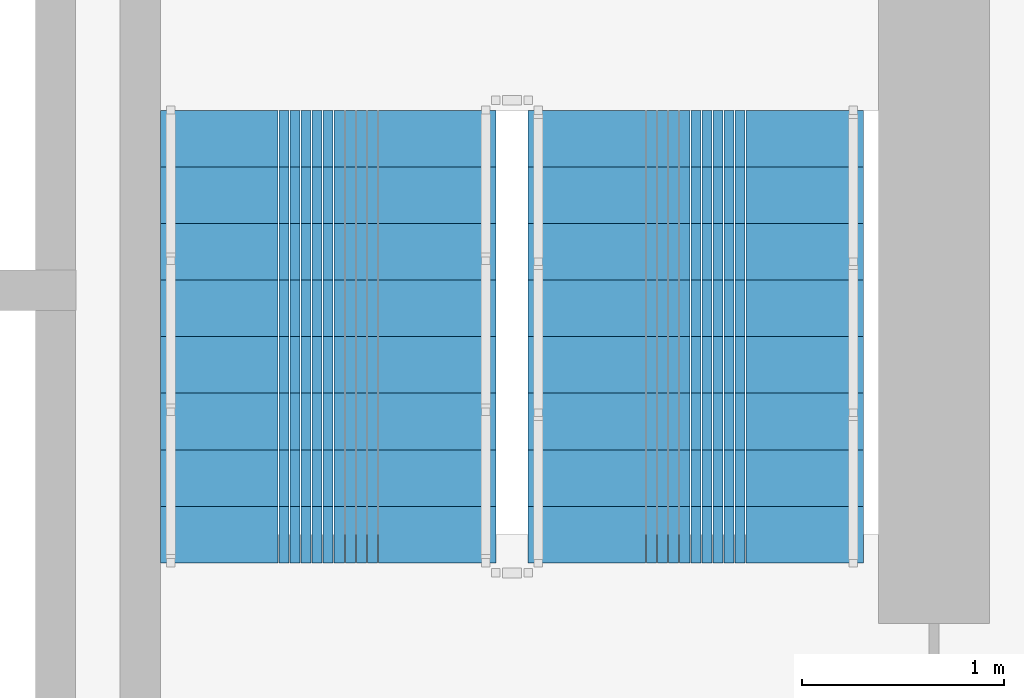
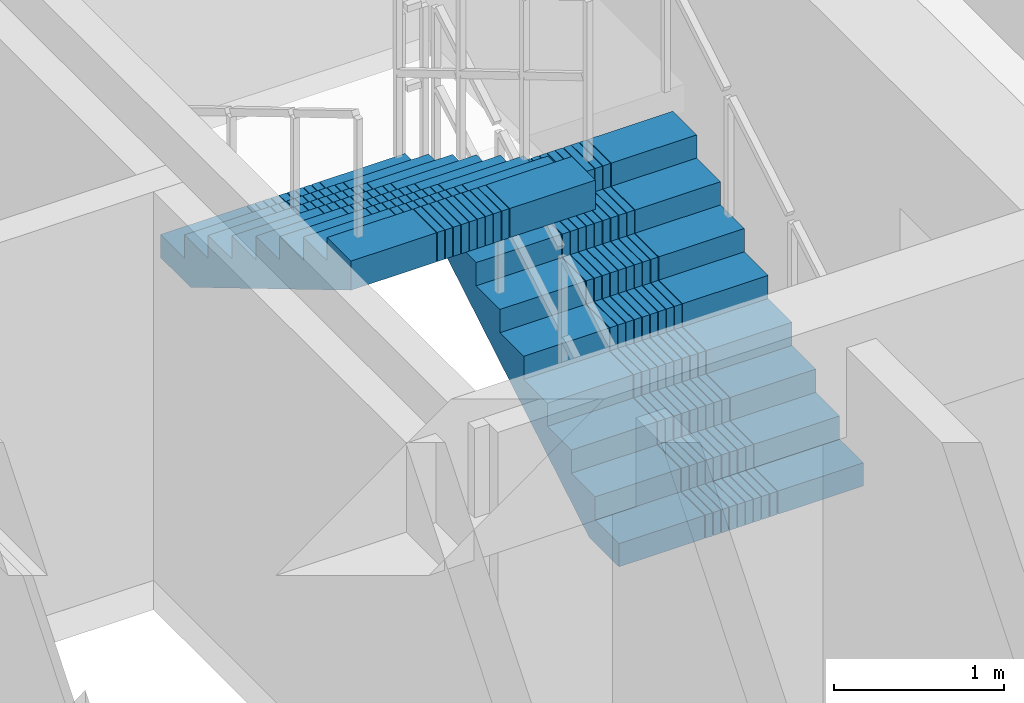
# One storey, part 21 of 25: 2 stair flights, 1 element without a shape of its own.
"""IFC4 building model written with IfcOpenShell, lengths in metres."""

from ifc_helpers import new_model, si_unit, direction, frame, origin, place, context, subcontext, project, spatial, polyline, outline, extrude, material, type_object, element, aggregate, save


model = new_model("IFC4")

# Units and contexts
model_context = context("Model", 3, precision=1e-05, world=origin(), true_north=direction((0.0, 1.0)))
body_context = subcontext(model_context, "Body", "Model", "MODEL_VIEW")
ifc_project = project(units=[si_unit("LENGTHUNIT", "METRE"), si_unit("AREAUNIT", "SQUARE_METRE"), si_unit("VOLUMEUNIT", "CUBIC_METRE"), si_unit("PLANEANGLEUNIT", "RADIAN"), si_unit("MASSUNIT", "GRAM", prefix="KILO")], contexts=[model_context])

# Site, building, storey
site_placement = place(None, origin())
site = spatial("IfcSite", under=ifc_project, at=site_placement, CompositionType="ELEMENT")
building_placement = place(site_placement, origin())
building = spatial("IfcBuilding", under=site, at=building_placement, Name="Saelheon Loggia Tower", CompositionType="ELEMENT")
storey_placement = place(building_placement, frame((0.0, 0.0, 107.85009765625)))
storey = spatial("IfcBuildingStorey", under=building, at=storey_placement, Name="L34", CompositionType="ELEMENT", Elevation=107.85009765625)

# Stair, stair flights
ifc_material = material(Name="Concrete C40/50", Category="concrete")
stair_type = type_object("IfcStairType", Name="Stair_Escape_Core", PredefinedType="HALF_TURN_STAIR", material=ifc_material)
stair_placement = place(storey_placement, origin())
stair = element("IfcStair", 1, at=stair_placement, inside=storey, type_object=stair_type, Name="L34 Special Escape Stair ST2", PredefinedType="HALF_TURN_STAIR")
stair_flight_type = type_object("IfcStairFlightType", Name="StairFlight_Tower_1660", PredefinedType="STRAIGHT", material=ifc_material)
stair_flight_1_placement = place(storey_placement, frame((43.320068359375, 30.449951171875, 0.0), z_axis=(0.0, 0.0, 1.0), x_axis=(0.0, 1.0, 0.0)))
stair_flight_1 = element("IfcStairFlight", 2, at=stair_flight_1_placement, type_object=stair_flight_type, Name="ST2 flight 1", NumberOfRisers=9, NumberOfTreads=8, PredefinedType="STRAIGHT", RiserHeight=0.166666667, TreadLength=0.28, context=body_context, shape_type="SweptSolid", body=[
    extrude(outline(polyline([(0.0, 0.0), (0.0, 0.166748046875), (0.280029296875, 0.166748046875), (0.280029296875, 0.333251953125), (0.56005859375, 0.333251953125), (0.56005859375, 0.5), (0.840087890625, 0.5), (0.840087890625, 0.666748046875), (1.1201171875, 0.666748046875), (1.1201171875, 0.833251953125), (1.39990234375, 0.833251953125), (1.39990234375, 1.0), (1.679931640625, 1.0), (1.679931640625, 1.166748046875), (1.9599609375, 1.166748046875), (1.9599609375, 1.333251953125), (2.239990234375, 1.333251953125), (2.239990234375, 1.5), (2.239990234375, 1.1240234375), (0.351806640625, 0.0), (0.0, 0.0)])), frame((0.0, -0.2490234375, 0.0), z_axis=(0.0, -1.0, 0.0), x_axis=(1.0, 0.0, 0.0)), (0.0, 0.0, 1.0), 0.5810546875),
    extrude(outline(polyline([(0.0, 0.0), (0.0, 0.166748046875), (0.280029296875, 0.166748046875), (0.280029296875, 0.333251953125), (0.56005859375, 0.333251953125), (0.56005859375, 0.5), (0.840087890625, 0.5), (0.840087890625, 0.666748046875), (1.1201171875, 0.666748046875), (1.1201171875, 0.833251953125), (1.39990234375, 0.833251953125), (1.39990234375, 1.0), (1.679931640625, 1.0), (1.679931640625, 1.166748046875), (1.9599609375, 1.166748046875), (1.9599609375, 1.333251953125), (2.239990234375, 1.333251953125), (2.239990234375, 1.5), (2.239990234375, 1.1240234375), (0.351806640625, 0.0), (0.0, 0.0)])), frame((0.0, -0.194091796875, 0.0), z_axis=(0.0, -1.0, 0.0), x_axis=(1.0, 0.0, 0.0)), (0.0, 0.0, 1.0), 0.0498046875),
    extrude(outline(polyline([(0.0, 0.0), (0.0, 0.166748046875), (0.280029296875, 0.166748046875), (0.280029296875, 0.333251953125), (0.56005859375, 0.333251953125), (0.56005859375, 0.5), (0.840087890625, 0.5), (0.840087890625, 0.666748046875), (1.1201171875, 0.666748046875), (1.1201171875, 0.833251953125), (1.39990234375, 0.833251953125), (1.39990234375, 1.0), (1.679931640625, 1.0), (1.679931640625, 1.166748046875), (1.9599609375, 1.166748046875), (1.9599609375, 1.333251953125), (2.239990234375, 1.333251953125), (2.239990234375, 1.5), (2.239990234375, 1.1240234375), (0.351806640625, 0.0), (0.0, 0.0)])), frame((0.0, -0.139404296875, 0.0), z_axis=(0.0, -1.0, 0.0), x_axis=(1.0, 0.0, 0.0)), (0.0, 0.0, 1.0), 0.0498046875),
    extrude(outline(polyline([(0.0, 0.0), (0.0, 0.166748046875), (0.280029296875, 0.166748046875), (0.280029296875, 0.333251953125), (0.56005859375, 0.333251953125), (0.56005859375, 0.5), (0.840087890625, 0.5), (0.840087890625, 0.666748046875), (1.1201171875, 0.666748046875), (1.1201171875, 0.833251953125), (1.39990234375, 0.833251953125), (1.39990234375, 1.0), (1.679931640625, 1.0), (1.679931640625, 1.166748046875), (1.9599609375, 1.166748046875), (1.9599609375, 1.333251953125), (2.239990234375, 1.333251953125), (2.239990234375, 1.5), (2.239990234375, 1.1240234375), (0.351806640625, 0.0), (0.0, 0.0)])), frame((0.0, -0.084716796875, 0.0), z_axis=(0.0, -1.0, 0.0), x_axis=(1.0, 0.0, 0.0)), (0.0, 0.0, 1.0), 0.0498046875),
    extrude(outline(polyline([(0.0, 0.0), (0.0, 0.166748046875), (0.280029296875, 0.166748046875), (0.280029296875, 0.333251953125), (0.56005859375, 0.333251953125), (0.56005859375, 0.5), (0.840087890625, 0.5), (0.840087890625, 0.666748046875), (1.1201171875, 0.666748046875), (1.1201171875, 0.833251953125), (1.39990234375, 0.833251953125), (1.39990234375, 1.0), (1.679931640625, 1.0), (1.679931640625, 1.166748046875), (1.9599609375, 1.166748046875), (1.9599609375, 1.333251953125), (2.239990234375, 1.333251953125), (2.239990234375, 1.5), (2.239990234375, 1.1240234375), (0.351806640625, 0.0), (0.0, 0.0)])), frame((0.0, -0.02978515625, 0.0), z_axis=(0.0, -1.0, 0.0), x_axis=(1.0, 0.0, 0.0)), (0.0, 0.0, 1.0), 0.0498046875),
    extrude(outline(polyline([(0.0, 0.0), (0.0, 0.166748046875), (0.280029296875, 0.166748046875), (0.280029296875, 0.333251953125), (0.56005859375, 0.333251953125), (0.56005859375, 0.5), (0.840087890625, 0.5), (0.840087890625, 0.666748046875), (1.1201171875, 0.666748046875), (1.1201171875, 0.833251953125), (1.39990234375, 0.833251953125), (1.39990234375, 1.0), (1.679931640625, 1.0), (1.679931640625, 1.166748046875), (1.9599609375, 1.166748046875), (1.9599609375, 1.333251953125), (2.239990234375, 1.333251953125), (2.239990234375, 1.5), (2.239990234375, 1.1240234375), (0.351806640625, 0.0), (0.0, 0.0)])), frame((0.0, 0.02490234375, 0.0), z_axis=(0.0, -1.0, 0.0), x_axis=(1.0, 0.0, 0.0)), (0.0, 0.0, 1.0), 0.0498046875),
    extrude(outline(polyline([(0.0, 0.0), (0.0, 0.166748046875), (0.280029296875, 0.166748046875), (0.280029296875, 0.333251953125), (0.56005859375, 0.333251953125), (0.56005859375, 0.5), (0.840087890625, 0.5), (0.840087890625, 0.666748046875), (1.1201171875, 0.666748046875), (1.1201171875, 0.833251953125), (1.39990234375, 0.833251953125), (1.39990234375, 1.0), (1.679931640625, 1.0), (1.679931640625, 1.166748046875), (1.9599609375, 1.166748046875), (1.9599609375, 1.333251953125), (2.239990234375, 1.333251953125), (2.239990234375, 1.5), (2.239990234375, 1.1240234375), (0.351806640625, 0.0), (0.0, 0.0)])), frame((0.0, 0.07958984375, 0.0), z_axis=(0.0, -1.0, 0.0), x_axis=(1.0, 0.0, 0.0)), (0.0, 0.0, 1.0), 0.0498046875),
    extrude(outline(polyline([(0.0, 0.0), (0.0, 0.166748046875), (0.280029296875, 0.166748046875), (0.280029296875, 0.333251953125), (0.56005859375, 0.333251953125), (0.56005859375, 0.5), (0.840087890625, 0.5), (0.840087890625, 0.666748046875), (1.1201171875, 0.666748046875), (1.1201171875, 0.833251953125), (1.39990234375, 0.833251953125), (1.39990234375, 1.0), (1.679931640625, 1.0), (1.679931640625, 1.166748046875), (1.9599609375, 1.166748046875), (1.9599609375, 1.333251953125), (2.239990234375, 1.333251953125), (2.239990234375, 1.5), (2.239990234375, 1.1240234375), (0.351806640625, 0.0), (0.0, 0.0)])), frame((0.0, 0.134521484375, 0.0), z_axis=(0.0, -1.0, 0.0), x_axis=(1.0, 0.0, 0.0)), (0.0, 0.0, 1.0), 0.0498046875),
    extrude(outline(polyline([(0.0, 0.0), (0.0, 0.166748046875), (0.280029296875, 0.166748046875), (0.280029296875, 0.333251953125), (0.56005859375, 0.333251953125), (0.56005859375, 0.5), (0.840087890625, 0.5), (0.840087890625, 0.666748046875), (1.1201171875, 0.666748046875), (1.1201171875, 0.833251953125), (1.39990234375, 0.833251953125), (1.39990234375, 1.0), (1.679931640625, 1.0), (1.679931640625, 1.166748046875), (1.9599609375, 1.166748046875), (1.9599609375, 1.333251953125), (2.239990234375, 1.333251953125), (2.239990234375, 1.5), (2.239990234375, 1.1240234375), (0.351806640625, 0.0), (0.0, 0.0)])), frame((0.0, 0.189208984375, 0.0), z_axis=(0.0, -1.0, 0.0), x_axis=(1.0, 0.0, 0.0)), (0.0, 0.0, 1.0), 0.0498046875),
    extrude(outline(polyline([(0.0, 0.0), (0.0, 0.166748046875), (0.280029296875, 0.166748046875), (0.280029296875, 0.333251953125), (0.56005859375, 0.333251953125), (0.56005859375, 0.5), (0.840087890625, 0.5), (0.840087890625, 0.666748046875), (1.1201171875, 0.666748046875), (1.1201171875, 0.833251953125), (1.39990234375, 0.833251953125), (1.39990234375, 1.0), (1.679931640625, 1.0), (1.679931640625, 1.166748046875), (1.9599609375, 1.166748046875), (1.9599609375, 1.333251953125), (2.239990234375, 1.333251953125), (2.239990234375, 1.5), (2.239990234375, 1.1240234375), (0.351806640625, 0.0), (0.0, 0.0)])), frame((0.0, 0.243896484375, 0.0), z_axis=(0.0, -1.0, 0.0), x_axis=(1.0, 0.0, 0.0)), (0.0, 0.0, 1.0), 0.0498046875),
    extrude(outline(polyline([(0.0, 0.0), (0.0, 0.166748046875), (0.280029296875, 0.166748046875), (0.280029296875, 0.333251953125), (0.56005859375, 0.333251953125), (0.56005859375, 0.5), (0.840087890625, 0.5), (0.840087890625, 0.666748046875), (1.1201171875, 0.666748046875), (1.1201171875, 0.833251953125), (1.39990234375, 0.833251953125), (1.39990234375, 1.0), (1.679931640625, 1.0), (1.679931640625, 1.166748046875), (1.9599609375, 1.166748046875), (1.9599609375, 1.333251953125), (2.239990234375, 1.333251953125), (2.239990234375, 1.5), (2.239990234375, 1.1240234375), (0.351806640625, 0.0), (0.0, 0.0)])), frame((0.0, 0.830078125, 0.0), z_axis=(0.0, -1.0, 0.0), x_axis=(1.0, 0.0, 0.0)), (0.0, 0.0, 1.0), 0.5810546875),
])
stair_flight_2_placement = place(storey_placement, frame((41.5, 32.68994140625, 1.5), z_axis=(0.0, 0.0, 1.0), x_axis=(0.0, -1.0, 0.0)))
stair_flight_2 = element("IfcStairFlight", 3, at=stair_flight_2_placement, type_object=stair_flight_type, Name="ST2 flight 2", NumberOfRisers=9, NumberOfTreads=8, PredefinedType="STRAIGHT", RiserHeight=0.166666667, TreadLength=0.28, context=body_context, shape_type="SweptSolid", body=[
    extrude(outline(polyline([(0.0, 0.0), (0.0, 0.166748046875), (0.280029296875, 0.166748046875), (0.280029296875, 0.333251953125), (0.56005859375, 0.333251953125), (0.56005859375, 0.5), (0.840087890625, 0.5), (0.840087890625, 0.666748046875), (1.1201171875, 0.666748046875), (1.1201171875, 0.833251953125), (1.39990234375, 0.833251953125), (1.39990234375, 1.0), (1.679931640625, 1.0), (1.679931640625, 1.166748046875), (1.9599609375, 1.166748046875), (1.9599609375, 1.333251953125), (2.239990234375, 1.333251953125), (2.239990234375, 1.5), (2.239990234375, 1.1240234375), (0.351806640625, 0.0), (0.0, 0.0)])), frame((0.0, -0.2490234375, 0.0), z_axis=(0.0, -1.0, 0.0), x_axis=(1.0, 0.0, 0.0)), (0.0, 0.0, 1.0), 0.5810546875),
    extrude(outline(polyline([(0.0, 0.0), (0.0, 0.166748046875), (0.280029296875, 0.166748046875), (0.280029296875, 0.333251953125), (0.56005859375, 0.333251953125), (0.56005859375, 0.5), (0.840087890625, 0.5), (0.840087890625, 0.666748046875), (1.1201171875, 0.666748046875), (1.1201171875, 0.833251953125), (1.39990234375, 0.833251953125), (1.39990234375, 1.0), (1.679931640625, 1.0), (1.679931640625, 1.166748046875), (1.9599609375, 1.166748046875), (1.9599609375, 1.333251953125), (2.239990234375, 1.333251953125), (2.239990234375, 1.5), (2.239990234375, 1.1240234375), (0.351806640625, 0.0), (0.0, 0.0)])), frame((0.0, -0.194091796875, 0.0), z_axis=(0.0, -1.0, 0.0), x_axis=(1.0, 0.0, 0.0)), (0.0, 0.0, 1.0), 0.0498046875),
    extrude(outline(polyline([(0.0, 0.0), (0.0, 0.166748046875), (0.280029296875, 0.166748046875), (0.280029296875, 0.333251953125), (0.56005859375, 0.333251953125), (0.56005859375, 0.5), (0.840087890625, 0.5), (0.840087890625, 0.666748046875), (1.1201171875, 0.666748046875), (1.1201171875, 0.833251953125), (1.39990234375, 0.833251953125), (1.39990234375, 1.0), (1.679931640625, 1.0), (1.679931640625, 1.166748046875), (1.9599609375, 1.166748046875), (1.9599609375, 1.333251953125), (2.239990234375, 1.333251953125), (2.239990234375, 1.5), (2.239990234375, 1.1240234375), (0.351806640625, 0.0), (0.0, 0.0)])), frame((0.0, -0.139404296875, 0.0), z_axis=(0.0, -1.0, 0.0), x_axis=(1.0, 0.0, 0.0)), (0.0, 0.0, 1.0), 0.0498046875),
    extrude(outline(polyline([(0.0, 0.0), (0.0, 0.166748046875), (0.280029296875, 0.166748046875), (0.280029296875, 0.333251953125), (0.56005859375, 0.333251953125), (0.56005859375, 0.5), (0.840087890625, 0.5), (0.840087890625, 0.666748046875), (1.1201171875, 0.666748046875), (1.1201171875, 0.833251953125), (1.39990234375, 0.833251953125), (1.39990234375, 1.0), (1.679931640625, 1.0), (1.679931640625, 1.166748046875), (1.9599609375, 1.166748046875), (1.9599609375, 1.333251953125), (2.239990234375, 1.333251953125), (2.239990234375, 1.5), (2.239990234375, 1.1240234375), (0.351806640625, 0.0), (0.0, 0.0)])), frame((0.0, -0.084716796875, 0.0), z_axis=(0.0, -1.0, 0.0), x_axis=(1.0, 0.0, 0.0)), (0.0, 0.0, 1.0), 0.0498046875),
    extrude(outline(polyline([(0.0, 0.0), (0.0, 0.166748046875), (0.280029296875, 0.166748046875), (0.280029296875, 0.333251953125), (0.56005859375, 0.333251953125), (0.56005859375, 0.5), (0.840087890625, 0.5), (0.840087890625, 0.666748046875), (1.1201171875, 0.666748046875), (1.1201171875, 0.833251953125), (1.39990234375, 0.833251953125), (1.39990234375, 1.0), (1.679931640625, 1.0), (1.679931640625, 1.166748046875), (1.9599609375, 1.166748046875), (1.9599609375, 1.333251953125), (2.239990234375, 1.333251953125), (2.239990234375, 1.5), (2.239990234375, 1.1240234375), (0.351806640625, 0.0), (0.0, 0.0)])), frame((0.0, -0.02978515625, 0.0), z_axis=(0.0, -1.0, 0.0), x_axis=(1.0, 0.0, 0.0)), (0.0, 0.0, 1.0), 0.0498046875),
    extrude(outline(polyline([(0.0, 0.0), (0.0, 0.166748046875), (0.280029296875, 0.166748046875), (0.280029296875, 0.333251953125), (0.56005859375, 0.333251953125), (0.56005859375, 0.5), (0.840087890625, 0.5), (0.840087890625, 0.666748046875), (1.1201171875, 0.666748046875), (1.1201171875, 0.833251953125), (1.39990234375, 0.833251953125), (1.39990234375, 1.0), (1.679931640625, 1.0), (1.679931640625, 1.166748046875), (1.9599609375, 1.166748046875), (1.9599609375, 1.333251953125), (2.239990234375, 1.333251953125), (2.239990234375, 1.5), (2.239990234375, 1.1240234375), (0.351806640625, 0.0), (0.0, 0.0)])), frame((0.0, 0.02490234375, 0.0), z_axis=(0.0, -1.0, 0.0), x_axis=(1.0, 0.0, 0.0)), (0.0, 0.0, 1.0), 0.0498046875),
    extrude(outline(polyline([(0.0, 0.0), (0.0, 0.166748046875), (0.280029296875, 0.166748046875), (0.280029296875, 0.333251953125), (0.56005859375, 0.333251953125), (0.56005859375, 0.5), (0.840087890625, 0.5), (0.840087890625, 0.666748046875), (1.1201171875, 0.666748046875), (1.1201171875, 0.833251953125), (1.39990234375, 0.833251953125), (1.39990234375, 1.0), (1.679931640625, 1.0), (1.679931640625, 1.166748046875), (1.9599609375, 1.166748046875), (1.9599609375, 1.333251953125), (2.239990234375, 1.333251953125), (2.239990234375, 1.5), (2.239990234375, 1.1240234375), (0.351806640625, 0.0), (0.0, 0.0)])), frame((0.0, 0.07958984375, 0.0), z_axis=(0.0, -1.0, 0.0), x_axis=(1.0, 0.0, 0.0)), (0.0, 0.0, 1.0), 0.0498046875),
    extrude(outline(polyline([(0.0, 0.0), (0.0, 0.166748046875), (0.280029296875, 0.166748046875), (0.280029296875, 0.333251953125), (0.56005859375, 0.333251953125), (0.56005859375, 0.5), (0.840087890625, 0.5), (0.840087890625, 0.666748046875), (1.1201171875, 0.666748046875), (1.1201171875, 0.833251953125), (1.39990234375, 0.833251953125), (1.39990234375, 1.0), (1.679931640625, 1.0), (1.679931640625, 1.166748046875), (1.9599609375, 1.166748046875), (1.9599609375, 1.333251953125), (2.239990234375, 1.333251953125), (2.239990234375, 1.5), (2.239990234375, 1.1240234375), (0.351806640625, 0.0), (0.0, 0.0)])), frame((0.0, 0.134521484375, 0.0), z_axis=(0.0, -1.0, 0.0), x_axis=(1.0, 0.0, 0.0)), (0.0, 0.0, 1.0), 0.0498046875),
    extrude(outline(polyline([(0.0, 0.0), (0.0, 0.166748046875), (0.280029296875, 0.166748046875), (0.280029296875, 0.333251953125), (0.56005859375, 0.333251953125), (0.56005859375, 0.5), (0.840087890625, 0.5), (0.840087890625, 0.666748046875), (1.1201171875, 0.666748046875), (1.1201171875, 0.833251953125), (1.39990234375, 0.833251953125), (1.39990234375, 1.0), (1.679931640625, 1.0), (1.679931640625, 1.166748046875), (1.9599609375, 1.166748046875), (1.9599609375, 1.333251953125), (2.239990234375, 1.333251953125), (2.239990234375, 1.5), (2.239990234375, 1.1240234375), (0.351806640625, 0.0), (0.0, 0.0)])), frame((0.0, 0.189208984375, 0.0), z_axis=(0.0, -1.0, 0.0), x_axis=(1.0, 0.0, 0.0)), (0.0, 0.0, 1.0), 0.0498046875),
    extrude(outline(polyline([(0.0, 0.0), (0.0, 0.166748046875), (0.280029296875, 0.166748046875), (0.280029296875, 0.333251953125), (0.56005859375, 0.333251953125), (0.56005859375, 0.5), (0.840087890625, 0.5), (0.840087890625, 0.666748046875), (1.1201171875, 0.666748046875), (1.1201171875, 0.833251953125), (1.39990234375, 0.833251953125), (1.39990234375, 1.0), (1.679931640625, 1.0), (1.679931640625, 1.166748046875), (1.9599609375, 1.166748046875), (1.9599609375, 1.333251953125), (2.239990234375, 1.333251953125), (2.239990234375, 1.5), (2.239990234375, 1.1240234375), (0.351806640625, 0.0), (0.0, 0.0)])), frame((0.0, 0.243896484375, 0.0), z_axis=(0.0, -1.0, 0.0), x_axis=(1.0, 0.0, 0.0)), (0.0, 0.0, 1.0), 0.0498046875),
    extrude(outline(polyline([(0.0, 0.0), (0.0, 0.166748046875), (0.280029296875, 0.166748046875), (0.280029296875, 0.333251953125), (0.56005859375, 0.333251953125), (0.56005859375, 0.5), (0.840087890625, 0.5), (0.840087890625, 0.666748046875), (1.1201171875, 0.666748046875), (1.1201171875, 0.833251953125), (1.39990234375, 0.833251953125), (1.39990234375, 1.0), (1.679931640625, 1.0), (1.679931640625, 1.166748046875), (1.9599609375, 1.166748046875), (1.9599609375, 1.333251953125), (2.239990234375, 1.333251953125), (2.239990234375, 1.5), (2.239990234375, 1.1240234375), (0.351806640625, 0.0), (0.0, 0.0)])), frame((0.0, 0.830078125, 0.0), z_axis=(0.0, -1.0, 0.0), x_axis=(1.0, 0.0, 0.0)), (0.0, 0.0, 1.0), 0.5810546875),
])
aggregate(stair, [stair_flight_1, stair_flight_2])

save(model, "model.ifc")
